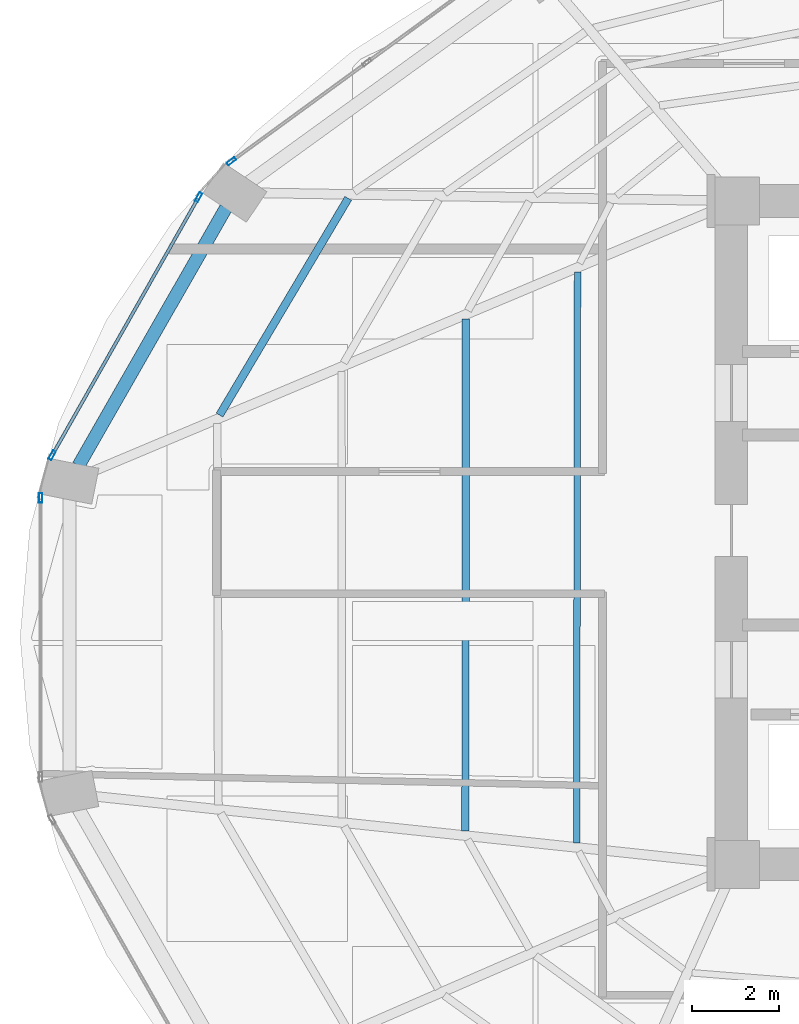
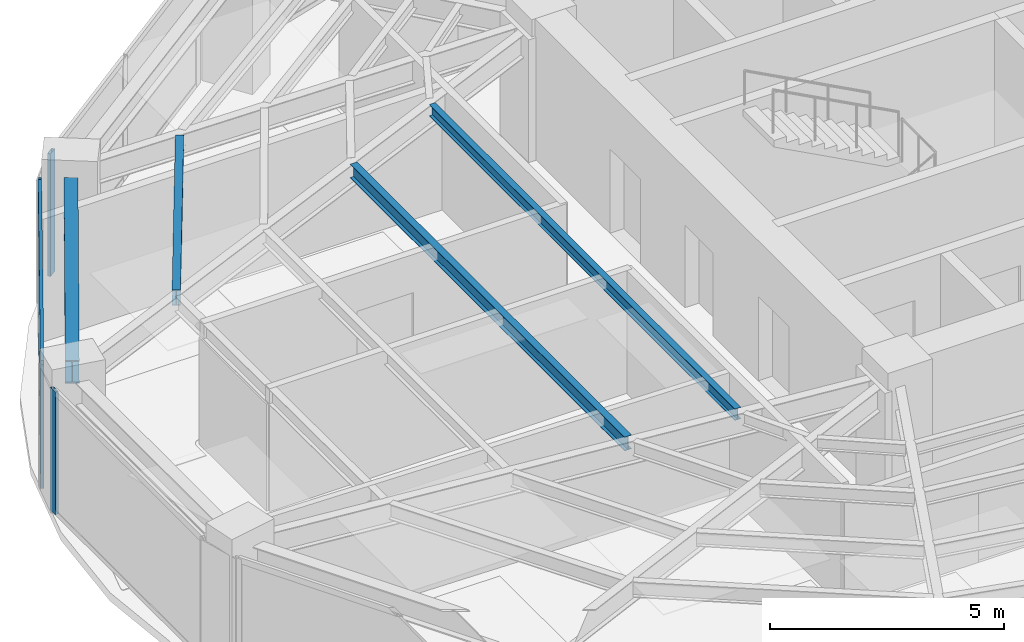
# One storey, part 8 of 24: 6 members, 4 beams, 3 elements without a shape of their own.
"""IFC4 building model written with IfcOpenShell, lengths in metres."""

import ifcopenshell
import ifcopenshell.guid

model = None  # the IFC model being written
_history = None  # IfcOwnerHistory: only IFC2X3 demands one
_inside = {}  # id of a spatial element -> (the spatial element, [elements in it])
_under = {}  # id of a project, library or spatial element -> (it, [spatial elements below it])
_declared = {}  # id of a project -> (the project, [libraries it declares])
_typed = {}  # id of a type object -> (the type object, [elements of that type])
_made_of = {}  # id of a material, layer set ... -> (it, [elements and type objects made of it])


def new_model(schema):
    """Start an empty IFC model of exactly this schema.

    Asked for "IFC4X3", IfcOpenShell would pick the latest addendum, in which some entities
    have other attributes; the version numbers below select the first issue.
    IFC2X3 requires an IfcOwnerHistory on every rooted entity: one is made here for all.
    """
    global model, _history
    if schema == "IFC4X3":
        model = ifcopenshell.file(schema_version=(4, 3, 0, 0))
    else:
        model = ifcopenshell.file(schema=schema)
    _inside.clear()
    _under.clear()
    _declared.clear()
    _typed.clear()
    _made_of.clear()
    _history = None
    if model.schema == "IFC2X3":
        org = make("IfcOrganization", Name="unknown")
        user = make(
            "IfcPersonAndOrganization",
            ThePerson=make("IfcPerson", FamilyName="unknown"),
            TheOrganization=org,
        )
        app = make(
            "IfcApplication",
            ApplicationDeveloper=org,
            Version="unknown",
            ApplicationFullName="unknown",
            ApplicationIdentifier="unknown",
        )
        _history = make(
            "IfcOwnerHistory",
            OwningUser=user,
            OwningApplication=app,
            ChangeAction="ADDED",
            CreationDate=0,
        )
    return model


def make(cls, **values):
    """One entity of the class cls with the attributes given. An attribute that is None is left unset."""
    return model.create_entity(
        cls, **{name: value for name, value in values.items() if value is not None}
    )


def rooted(cls, **values):
    """An entity with a GlobalId (a new one), such as an element, a storey or a relation."""
    return make(cls, GlobalId=ifcopenshell.guid.new(), OwnerHistory=_history, **values)


def si_unit(unit_type, name, prefix=None):
    """IfcSIUnit, for example si_unit("LENGTHUNIT", "METRE", prefix="MILLI")."""
    return make("IfcSIUnit", UnitType=unit_type, Prefix=prefix, Name=name)


def assignment(units):
    """IfcUnitAssignment: the units of a project."""
    return None if units is None else make("IfcUnitAssignment", Units=units)


def point(xyz):
    """IfcCartesianPoint."""
    return None if xyz is None else make("IfcCartesianPoint", Coordinates=xyz)


def direction(xyz):
    """IfcDirection."""
    return None if xyz is None else make("IfcDirection", DirectionRatios=xyz)


def frame(location, z_axis=None, x_axis=None):
    """IfcAxis2Placement3D, a coordinate frame: its origin and axes. An axis left out is left unset."""
    return make(
        "IfcAxis2Placement3D",
        Location=point(location),
        Axis=direction(z_axis),
        RefDirection=direction(x_axis),
    )


def frame_2d(location, x_axis=None):
    """IfcAxis2Placement2D, a coordinate frame in the plane: its origin and x axis."""
    return make(
        "IfcAxis2Placement2D", Location=point(location), RefDirection=direction(x_axis)
    )


def origin():
    """The frame at (0, 0, 0) with its axes left unset."""
    return frame((0.0, 0.0, 0.0))


def origin_2d():
    """The frame at (0, 0) in the plane with its x axis left unset."""
    return frame_2d((0.0, 0.0))


def place(relative_to, where):
    """IfcLocalPlacement: puts the frame where relative to a parent placement (None: the world)."""
    return make(
        "IfcLocalPlacement", PlacementRelTo=relative_to, RelativePlacement=where
    )


def context(
    kind, dimensions, precision=None, world=None, true_north=None, identifier=None
):
    """IfcGeometricRepresentationContext, for example the 3D "Model" context."""
    return make(
        "IfcGeometricRepresentationContext",
        ContextIdentifier=identifier,
        ContextType=kind,
        CoordinateSpaceDimension=dimensions,
        Precision=precision,
        WorldCoordinateSystem=world,
        TrueNorth=true_north,
    )


def subcontext(parent, identifier, kind, view, scale=None):
    """IfcGeometricRepresentationSubContext, for example "Body" below "Model"."""
    return make(
        "IfcGeometricRepresentationSubContext",
        ContextIdentifier=identifier,
        ContextType=kind,
        ParentContext=parent,
        TargetScale=scale,
        TargetView=view,
    )


def project(units=None, contexts=None):
    """IfcProject with its units and contexts."""
    return rooted(
        "IfcProject",
        Name="project",
        RepresentationContexts=contexts,
        UnitsInContext=assignment(units),
    )


def spatial(cls, under=None, at=None, **own):
    """A site, building, storey or space (cls), placed at a placement, below another one or the project."""
    s = rooted(cls, ObjectPlacement=at, **own)
    if under is not None:
        _under.setdefault(under.id(), (under, []))[1].append(s)
    return s


def profile(cls, at=None, kind="AREA", **sizes):
    """A parametric profile (cls). Its sizes go by their IFC names, for example OverallWidth=200.0."""
    return make(cls, ProfileType=kind, Position=at, **sizes)


def hollow_rectangle(**sizes):
    """IfcRectangleHollowProfileDef."""
    return profile("IfcRectangleHollowProfileDef", **sizes)


def i_section(**sizes):
    """IfcIShapeProfileDef."""
    return profile("IfcIShapeProfileDef", **sizes)


def extrude(swept, where, along, depth):
    """IfcExtrudedAreaSolid: the profile swept, set in the frame where, extruded along a direction by depth."""
    return make(
        "IfcExtrudedAreaSolid",
        SweptArea=swept,
        Position=where,
        ExtrudedDirection=direction(along),
        Depth=depth,
    )


def shape(context_of_items, identifier, shape_type, items):
    """IfcShapeRepresentation: the items that make up one representation, for example the "Body"."""
    return make(
        "IfcShapeRepresentation",
        ContextOfItems=context_of_items,
        RepresentationIdentifier=identifier,
        RepresentationType=shape_type,
        Items=items,
    )


def material(Name=None, Category=None):
    """IfcMaterial."""
    return make("IfcMaterial", Name=Name, Category=Category)


def layer(
    of_material, thickness, ventilated=None, Name=None, Category=None, Priority=None
):
    """IfcMaterialLayer: one layer of a wall or slab, of a material (None: an air gap)."""
    return make(
        "IfcMaterialLayer",
        Material=of_material,
        LayerThickness=thickness,
        IsVentilated=ventilated,
        Name=Name,
        Category=Category,
        Priority=Priority,
    )


def layer_set(layers, Name=None):
    """IfcMaterialLayerSet."""
    return make("IfcMaterialLayerSet", MaterialLayers=layers, LayerSetName=Name)


def material_profile(
    of_material, cross_section, Name=None, Category=None, Priority=None
):
    """IfcMaterialProfile: a cross section and its material."""
    return make(
        "IfcMaterialProfile",
        Name=Name,
        Material=of_material,
        Profile=cross_section,
        Priority=Priority,
        Category=Category,
    )


def profile_set(profiles, Name=None, composite=None):
    """IfcMaterialProfileSet."""
    return make(
        "IfcMaterialProfileSet",
        Name=Name,
        MaterialProfiles=profiles,
        CompositeProfile=composite,
    )


def made_of(thing, what):
    """Note that an element or type object is made of a material, layer set ...; save() writes the relation."""
    if what is not None:
        _made_of.setdefault(what.id(), (what, []))[1].append(thing)
    return thing


def type_object(cls, material=None, **own):
    """A type object (cls), such as IfcWallType, which elements share."""
    return made_of(rooted(cls, **own), material)


def element(
    cls,
    number,
    at=None,
    inside=None,
    cuts=None,
    type_object=None,
    material=None,
    context=None,
    identifier="Body",
    shape_type=None,
    held_by="IfcProductDefinitionShape",
    body=None,
    shapes=None,
    **own,
):
    """One element of the class cls, such as IfcWall. Its Tag is "e" and its number.

    at: its placement. inside: the storey or other place that contains it. cuts: it is an
    opening in that element (IfcRelVoidsElement). A single representation is given by context,
    identifier, shape_type and body (its items); several are given by shapes. held_by: the class
    of the entity that holds the representations. save() writes the other relations.
    """
    e = rooted(cls, Tag="e%d" % number, ObjectPlacement=at, **own)
    if body is not None:
        shapes = [shape(context, identifier, shape_type, body)]
    if shapes is not None:
        e.Representation = make(held_by, Representations=shapes)
    if inside is not None:
        _inside.setdefault(inside.id(), (inside, []))[1].append(e)
    if cuts is not None:
        rooted(
            "IfcRelVoidsElement", RelatingBuildingElement=cuts, RelatedOpeningElement=e
        )
    if type_object is not None:
        _typed.setdefault(type_object.id(), (type_object, []))[1].append(e)
    return made_of(e, material)


def aggregate(whole, parts):
    """IfcRelAggregates: a whole, such as a stair, and the parts it consists of."""
    return rooted("IfcRelAggregates", RelatingObject=whole, RelatedObjects=parts)


def save(model, path):
    """Write the relations noted so far, then the file.

    IfcRelAggregates (storeys below a building ...), IfcRelContainedInSpatialStructure (elements
    in a storey), IfcRelDefinesByType, IfcRelAssociatesMaterial and IfcRelDeclares: one each for
    every whole, place, type object, material and project.
    """
    for whole, parts in _under.values():
        aggregate(whole, parts)
    for where, things in _inside.values():
        rooted(
            "IfcRelContainedInSpatialStructure",
            RelatedElements=things,
            RelatingStructure=where,
        )
    for kind, things in _typed.values():
        rooted("IfcRelDefinesByType", RelatedObjects=things, RelatingType=kind)
    for what, things in _made_of.values():
        rooted("IfcRelAssociatesMaterial", RelatedObjects=things, RelatingMaterial=what)
    for by, libraries in _declared.values():
        rooted("IfcRelDeclares", RelatingContext=by, RelatedDefinitions=libraries)
    model.write(path)


model = new_model("IFC4")

# Units and contexts
model_context = context("Model", 3, precision=1e-05, world=origin(), true_north=direction((0.0, 1.0)))
body_context = subcontext(model_context, "Body", "Model", "MODEL_VIEW")
ifc_project = project(units=[si_unit("LENGTHUNIT", "METRE"), si_unit("AREAUNIT", "SQUARE_METRE"), si_unit("VOLUMEUNIT", "CUBIC_METRE"), si_unit("PLANEANGLEUNIT", "RADIAN"), si_unit("MASSUNIT", "GRAM", prefix="KILO")], contexts=[model_context])

# Site, building, storey
site_placement = place(None, origin())
site = spatial("IfcSite", under=ifc_project, at=site_placement, CompositionType="ELEMENT")
building_placement = place(site_placement, origin())
building = spatial("IfcBuilding", under=site, at=building_placement, Name="Lazwardi Medical Tower", CompositionType="ELEMENT")
storey_placement = place(building_placement, frame((0.0, 0.0, 129.16796875)))
storey = spatial("IfcBuildingStorey", under=building, at=storey_placement, Name="L33", CompositionType="ELEMENT", Elevation=129.16796875)

# Beams
ifc_material_1 = material(Name="Steel S355", Category="steel")
ifc_material_profile_1 = material_profile(ifc_material_1, i_section(OverallWidth=0.300048828125, OverallDepth=0.60009765625, WebThickness=0.015380859375, FlangeThickness=0.030029296875, at=origin_2d()), Name="HEB 600")
ifc_profile_set_1 = profile_set([ifc_material_profile_1], Name="Steel S355")
beam_type_1 = type_object("IfcBeamType", Name="BM-RB-Z2", PredefinedType="BEAM", material=ifc_profile_set_1)
beam_1_placement = place(storey_placement, frame((14.718505859375, 35.438720703125, 2.89794921875), z_axis=(-0.496653025517, -0.867949176072, 0.0), x_axis=(0.867949176072, -0.496653025517, 0.0)))
element("IfcBeam", 1, at=beam_1_placement, inside=storey, type_object=beam_type_1, Name="Ring beam RB-03 B11 L33", PredefinedType="BEAM", context=body_context, shape_type="SweptSolid", body=[
    extrude(i_section(OverallWidth=0.300048828125, OverallDepth=0.60009765625, WebThickness=0.015380859375, FlangeThickness=0.030029296875, at=origin_2d()), origin(), (0.0, 0.0, 1.0), 6.80078125),
])
ifc_material_profile_2 = material_profile(ifc_material_1, i_section(OverallWidth=0.179931640625, OverallDepth=0.39990234375, WebThickness=0.008544921875, FlangeThickness=0.013427734375, at=origin_2d()), Name="IPE 400")
ifc_profile_set_2 = profile_set([ifc_material_profile_2], Name="Steel S355")
beam_type_2 = type_object("IfcBeamType", Name="BM-SJ-01", PredefinedType="JOIST", material=ifc_profile_set_2)
beam_2_placement = place(storey_placement, frame((17.52099609375, 35.659423828125, 2.998046875), z_axis=(-0.510499691073, -0.859877936346, 0.0), x_axis=(0.859877936346, -0.510499691073, 0.0)))
element("IfcBeam", 2, at=beam_2_placement, inside=storey, type_object=beam_type_2, Name="Secondary joist SJ-01 R1 B11 L33", PredefinedType="JOIST", context=body_context, shape_type="SweptSolid", body=[
    extrude(i_section(OverallWidth=0.179931640625, OverallDepth=0.39990234375, WebThickness=0.008544921875, FlangeThickness=0.013427734375, at=origin_2d()), origin(), (0.0, 0.0, 1.0), 5.776123046875),
])
ifc_material_profile_3 = material_profile(ifc_material_1, i_section(OverallWidth=0.169921875, OverallDepth=0.360107421875, WebThickness=0.008056640625, FlangeThickness=0.0126953125, at=origin_2d()), Name="IPE 360")
ifc_profile_set_3 = profile_set([ifc_material_profile_3], Name="Steel S355")
beam_type_3 = type_object("IfcBeamType", Name="BM-SJ-02", PredefinedType="JOIST", material=ifc_profile_set_3)
beam_3_placement = place(storey_placement, frame((20.212890625, 32.892578125, 3.01806640625), z_axis=(-0.000561961365, -0.9999998421, 0.0), x_axis=(0.9999998421, -0.000561961365, 0.0)))
element("IfcBeam", 3, at=beam_3_placement, inside=storey, type_object=beam_type_3, Name="Secondary joist SJ-02 R3 B12 L33", PredefinedType="JOIST", context=body_context, shape_type="SweptSolid", body=[
    extrude(i_section(OverallWidth=0.169921875, OverallDepth=0.360107421875, WebThickness=0.008056640625, FlangeThickness=0.0126953125, at=origin_2d()), origin(), (0.0, 0.0, 1.0), 11.72998046875),
])
ifc_material_profile_4 = material_profile(ifc_material_1, i_section(OverallWidth=0.14990234375, OverallDepth=0.300048828125, WebThickness=0.007080078125, FlangeThickness=0.0107421875, at=origin_2d()), Name="IPE 300")
ifc_profile_set_4 = profile_set([ifc_material_profile_4], Name="Steel S355")
beam_type_4 = type_object("IfcBeamType", Name="BM-SJ-03", PredefinedType="JOIST", material=ifc_profile_set_4)
beam_4_placement = place(storey_placement, frame((22.77490234375, 33.97021484375, 3.048095703125), z_axis=(-0.00156809843, -0.999998770533, 0.0), x_axis=(0.999998770533, -0.00156809843, 0.0)))
element("IfcBeam", 4, at=beam_4_placement, inside=storey, type_object=beam_type_4, Name="Secondary joist SJ-03 R4 B12 L33", PredefinedType="JOIST", context=body_context, shape_type="SweptSolid", body=[
    extrude(i_section(OverallWidth=0.14990234375, OverallDepth=0.300048828125, WebThickness=0.007080078125, FlangeThickness=0.0107421875, at=origin_2d()), origin(), (0.0, 0.0, 1.0), 13.078125),
])

# Curtain wall, member
ifc_material_2 = material(Name="Anodised bronze aluminium and solar control glazing", Category="aluminium")
ifc_layer = layer(ifc_material_2, 0.195068359375)
ifc_layer_set = layer_set([ifc_layer], Name="Anodised bronze aluminium and solar control glazing")
curtain_wall_type = type_object("IfcCurtainWallType", Name="CW-SYS-03", PredefinedType="NOTDEFINED", material=ifc_layer_set)
curtain_wall_1_placement = place(storey_placement, origin())
curtain_wall_1 = element("IfcCurtainWall", 5, at=curtain_wall_1_placement, inside=storey, type_object=curtain_wall_type, Name="L33 Unitised bronze curtain wall CW-03", PredefinedType="NOTDEFINED")
ifc_material_3 = material(Name="Anodised bronze aluminium", Category="aluminium")
ifc_material_profile_5 = material_profile(ifc_material_3, hollow_rectangle(XDim=0.074951171875, YDim=0.219970703125, WallThickness=0.00390625, at=origin_2d()), Name="ALU-MULLION 220x75x4")
ifc_profile_set_5 = profile_set([ifc_material_profile_5], Name="Anodised bronze aluminium")
member_type_1 = type_object("IfcMemberType", Name="CW-MUL-01", PredefinedType="MULLION", material=ifc_profile_set_5)
member_1_placement = place(storey_placement, frame((14.844970703125, 36.5087890625, 0.0), z_axis=(0.0, 0.0, 1.0), x_axis=(0.589530882802, -0.807745837639, 0.0)))
member_1 = element("IfcMember", 6, at=member_1_placement, type_object=member_type_1, Name="CW-03 mullion 3", PredefinedType="MULLION", context=body_context, shape_type="SweptSolid", body=[
    extrude(hollow_rectangle(XDim=0.074951171875, YDim=0.219970703125, WallThickness=0.00390625, at=origin_2d()), origin(), (0.0, 0.0, 1.0), 3.197998046875),
])
aggregate(curtain_wall_1, [member_1])

# Curtain wall, members
curtain_wall_2_placement = place(storey_placement, origin())
curtain_wall_2 = element("IfcCurtainWall", 7, at=curtain_wall_2_placement, inside=storey, type_object=curtain_wall_type, Name="L33 Unitised bronze curtain wall CW-03", PredefinedType="NOTDEFINED")
member_2_placement = place(storey_placement, frame((14.0927734375, 35.685791015625, 0.0), z_axis=(0.0, 0.0, 1.0), x_axis=(0.869687265712, -0.493603140041, 0.0)))
member_2 = element("IfcMember", 8, at=member_2_placement, type_object=member_type_1, Name="CW-03 mullion 1", PredefinedType="MULLION", context=body_context, shape_type="SweptSolid", body=[
    extrude(hollow_rectangle(XDim=0.074951171875, YDim=0.219970703125, WallThickness=0.00390625, at=origin_2d()), origin(), (0.0, 0.0, 1.0), 3.197998046875),
])
member_3_placement = place(storey_placement, frame((10.7373046875, 29.77392578125, 0.0), z_axis=(0.0, 0.0, 1.0), x_axis=(0.869687265712, -0.493603140041, 0.0)))
member_3 = element("IfcMember", 9, at=member_3_placement, type_object=member_type_1, Name="CW-03 mullion 2", PredefinedType="MULLION", context=body_context, shape_type="SweptSolid", body=[
    extrude(hollow_rectangle(XDim=0.074951171875, YDim=0.219970703125, WallThickness=0.00390625, at=origin_2d()), origin(), (0.0, 0.0, 1.0), 3.197998046875),
])

# Curtain wall, member
curtain_wall_3_placement = place(storey_placement, origin())
curtain_wall_3 = element("IfcCurtainWall", 10, at=curtain_wall_3_placement, inside=storey, type_object=curtain_wall_type, Name="L33 Unitised bronze curtain wall CW-03", PredefinedType="NOTDEFINED")
member_4_placement = place(storey_placement, frame((10.471923828125, 28.79736328125, 0.0), z_axis=(0.0, 0.0, 1.0), x_axis=(1.0, 0.0, 0.0)))
member_4 = element("IfcMember", 11, at=member_4_placement, type_object=member_type_1, Name="CW-03 mullion 1", PredefinedType="MULLION", context=body_context, shape_type="SweptSolid", body=[
    extrude(hollow_rectangle(XDim=0.074951171875, YDim=0.219970703125, WallThickness=0.00390625, at=origin_2d()), origin(), (0.0, 0.0, 1.0), 3.197998046875),
])
aggregate(curtain_wall_3, [member_4])

# Member
ifc_material_profile_6 = material_profile(ifc_material_3, hollow_rectangle(XDim=0.074951171875, YDim=0.159912109375, WallThickness=0.00390625, at=origin_2d()), Name="ALU-TRANSOM 160x75x4")
ifc_profile_set_6 = profile_set([ifc_material_profile_6], Name="Anodised bronze aluminium")
member_type_2 = type_object("IfcMemberType", Name="CW-TRN-01", PredefinedType="USERDEFINED", material=ifc_profile_set_6)
member_5_placement = place(storey_placement, frame((14.074462890625, 35.6533203125, 0.03759765625), z_axis=(-0.493614427365, -0.869680859337, 0.0), x_axis=(0.869680859337, -0.493614427365, 0.0)))
member_5 = element("IfcMember", 12, at=member_5_placement, type_object=member_type_2, Name="CW-03 transom 1.1", ObjectType="TRANSOM", PredefinedType="USERDEFINED", context=body_context, shape_type="SweptSolid", body=[
    extrude(hollow_rectangle(XDim=0.074951171875, YDim=0.159912109375, WallThickness=0.00390625, at=origin_2d()), origin(), (0.0, 0.0, 1.0), 6.72314453125),
])

member_6_placement = place(storey_placement, frame((14.074462890625, 35.6533203125, 3.16064453125), z_axis=(-0.493614427365, -0.869680859337, 0.0), x_axis=(0.869680859337, -0.493614427365, 0.0)))
member_6 = element("IfcMember", 13, at=member_6_placement, type_object=member_type_2, Name="CW-03 transom 1.2", ObjectType="TRANSOM", PredefinedType="USERDEFINED", context=body_context, shape_type="SweptSolid", body=[
    extrude(hollow_rectangle(XDim=0.074951171875, YDim=0.159912109375, WallThickness=0.00390625, at=origin_2d()), origin(), (0.0, 0.0, 1.0), 6.72314453125),
])

aggregate(curtain_wall_2, [member_2, member_3, member_5, member_6])

save(model, "model.ifc")
